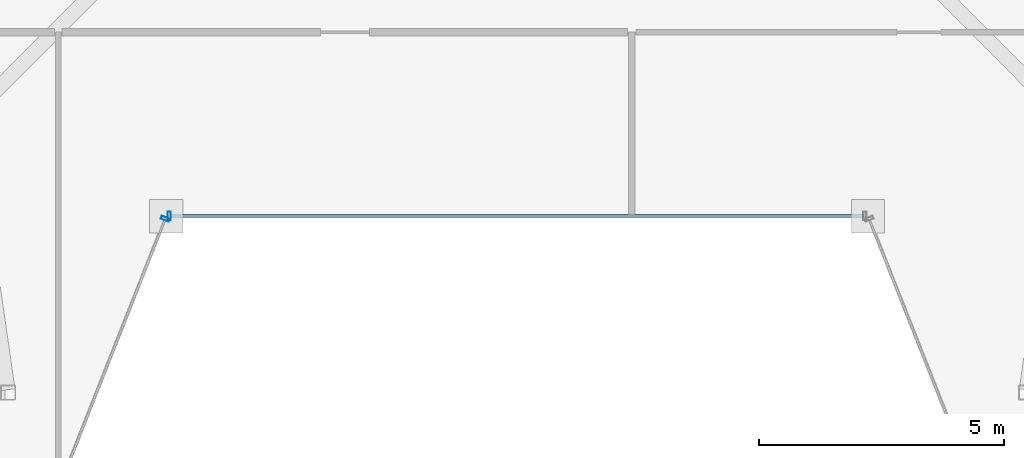
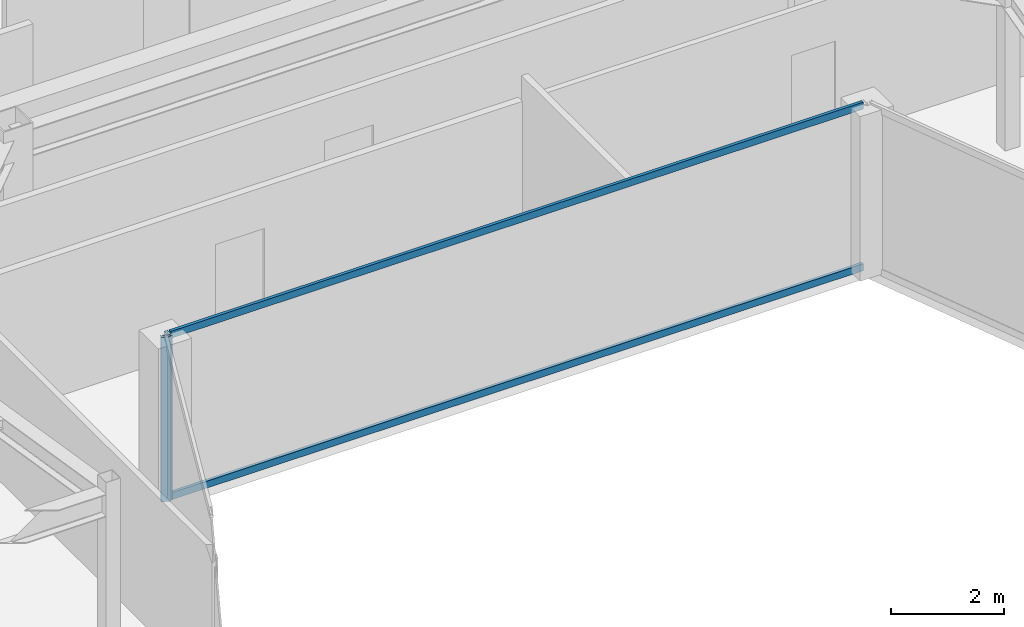
# One storey, part 6 of 22: 4 members, 2 elements without a shape of their own.
"""IFC4 building model written with IfcOpenShell, lengths in metres."""

from ifc_helpers import new_model, si_unit, direction, frame, origin, origin_2d, place, context, subcontext, project, spatial, hollow_rectangle, extrude, material, material_profile, profile_set, type_object, element, aggregate, save


model = new_model("IFC4")

# Units and contexts
model_context = context("Model", 3, precision=1e-05, world=origin(), true_north=direction((0.0, 1.0)))
body_context = subcontext(model_context, "Body", "Model", "MODEL_VIEW")
ifc_project = project(units=[si_unit("LENGTHUNIT", "METRE"), si_unit("AREAUNIT", "SQUARE_METRE"), si_unit("VOLUMEUNIT", "CUBIC_METRE"), si_unit("PLANEANGLEUNIT", "RADIAN"), si_unit("MASSUNIT", "GRAM", prefix="KILO")], contexts=[model_context])

# Site, building, storey
site_placement = place(None, origin())
site = spatial("IfcSite", under=ifc_project, at=site_placement, CompositionType="ELEMENT")
building_placement = place(site_placement, origin())
building = spatial("IfcBuilding", under=site, at=building_placement, Name="Saevonmaru Cultural Tower", CompositionType="ELEMENT")
storey_placement = place(building_placement, frame((0.0, 0.0, 287.60009765625)))
storey = spatial("IfcBuildingStorey", under=building, at=storey_placement, Name="L68", CompositionType="ELEMENT", Elevation=287.60009765625)

# Curtain wall, member
ifc_material = material(Name="Satin Bronze Anodised Aluminium", Category="aluminium")
curtain_wall_type = type_object("IfcCurtainWallType", Name="CW-TYP-B", PredefinedType="NOTDEFINED", material=ifc_material)
curtain_wall_1_placement = place(storey_placement, origin())
curtain_wall_1 = element("IfcCurtainWall", 1, at=curtain_wall_1_placement, inside=storey, type_object=curtain_wall_type, Name="L68 Unitised Curtain Wall E3", PredefinedType="NOTDEFINED")
ifc_material_profile_1 = material_profile(ifc_material, hollow_rectangle(XDim=0.06494140625, YDim=0.179931640625, WallThickness=0.00390625, at=origin_2d()), Name="ALU-MULL-180x65x4")
ifc_profile_set_1 = profile_set([ifc_material_profile_1], Name="Satin Bronze Anodised Aluminium")
member_type_1 = type_object("IfcMemberType", Name="ML-CW-180x65", PredefinedType="MULLION", material=ifc_profile_set_1)
member_1_placement = place(storey_placement, frame((22.822509765625, 35.544189453125, 0.0), z_axis=(0.0, 0.0, 1.0), x_axis=(0.367172185578, 0.930152990716, 0.0)))
member_1 = element("IfcMember", 2, at=member_1_placement, type_object=member_type_1, Name="CW-TW-L68-E3 mullion 2", PredefinedType="MULLION", context=body_context, shape_type="SweptSolid", body=[
    extrude(hollow_rectangle(XDim=0.06494140625, YDim=0.179931640625, WallThickness=0.00390625, at=origin_2d()), origin(), (0.0, 0.0, 1.0), 3.5498046875),
])
aggregate(curtain_wall_1, [member_1])

# Curtain wall, members
curtain_wall_2_placement = place(storey_placement, origin())
curtain_wall_2 = element("IfcCurtainWall", 3, at=curtain_wall_2_placement, inside=storey, type_object=curtain_wall_type, Name="L68 Unitised Curtain Wall E4", PredefinedType="NOTDEFINED")
member_2_placement = place(storey_placement, frame((22.904296875, 35.60009765625, 0.0), z_axis=(0.0, 0.0, 1.0), x_axis=(1.0, 0.0, 0.0)))
member_2 = element("IfcMember", 4, at=member_2_placement, type_object=member_type_1, Name="CW-TW-L68-E4 mullion 1", PredefinedType="MULLION", context=body_context, shape_type="SweptSolid", body=[
    extrude(hollow_rectangle(XDim=0.06494140625, YDim=0.179931640625, WallThickness=0.00390625, at=origin_2d()), origin(), (0.0, 0.0, 1.0), 3.5498046875),
])
ifc_material_profile_2 = material_profile(ifc_material, hollow_rectangle(XDim=0.06494140625, YDim=0.14990234375, WallThickness=0.00390625, at=origin_2d()), Name="ALU-TRAN-150x65x4")
ifc_profile_set_2 = profile_set([ifc_material_profile_2], Name="Satin Bronze Anodised Aluminium")
member_type_2 = type_object("IfcMemberType", Name="TR-CW-150x65", PredefinedType="USERDEFINED", material=ifc_profile_set_2)
member_3_placement = place(storey_placement, frame((22.93701171875, 35.60009765625, 0.032470703125), z_axis=(1.0, 0.0, 0.0), x_axis=(0.0, 1.0, 0.0)))
member_3 = element("IfcMember", 5, at=member_3_placement, type_object=member_type_2, Name="CW-TW-L68-E4 transom 1.1", ObjectType="TRANSOM", PredefinedType="USERDEFINED", context=body_context, shape_type="SweptSolid", body=[
    extrude(hollow_rectangle(XDim=0.06494140625, YDim=0.14990234375, WallThickness=0.00390625, at=origin_2d()), origin(), (0.0, 0.0, 1.0), 14.1259765625),
])
member_4_placement = place(storey_placement, frame((22.93701171875, 35.60009765625, 3.517333984375), z_axis=(1.0, 0.0, 0.0), x_axis=(0.0, 1.0, 0.0)))
member_4 = element("IfcMember", 6, at=member_4_placement, type_object=member_type_2, Name="CW-TW-L68-E4 transom 1.2", ObjectType="TRANSOM", PredefinedType="USERDEFINED", context=body_context, shape_type="SweptSolid", body=[
    extrude(hollow_rectangle(XDim=0.06494140625, YDim=0.14990234375, WallThickness=0.00390625, at=origin_2d()), origin(), (0.0, 0.0, 1.0), 14.1259765625),
])
aggregate(curtain_wall_2, [member_2, member_3, member_4])

save(model, "model.ifc")
